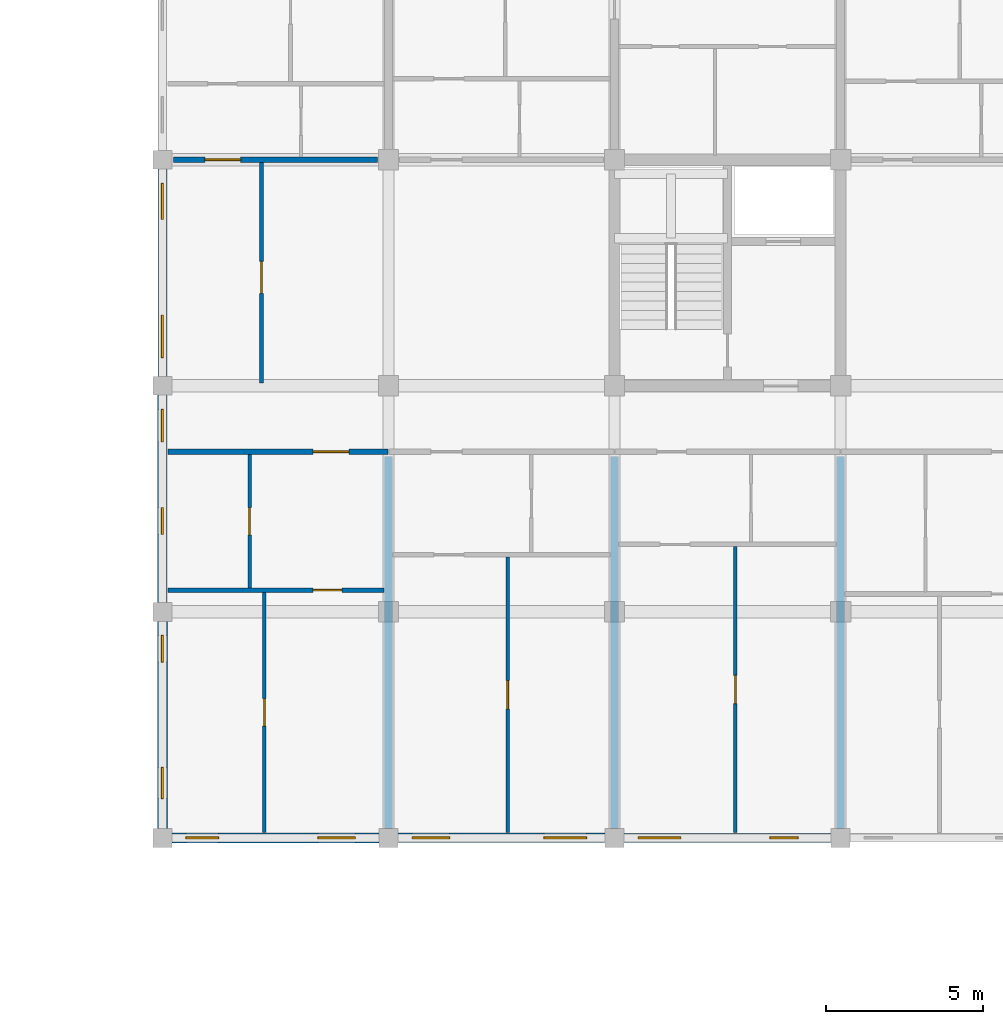
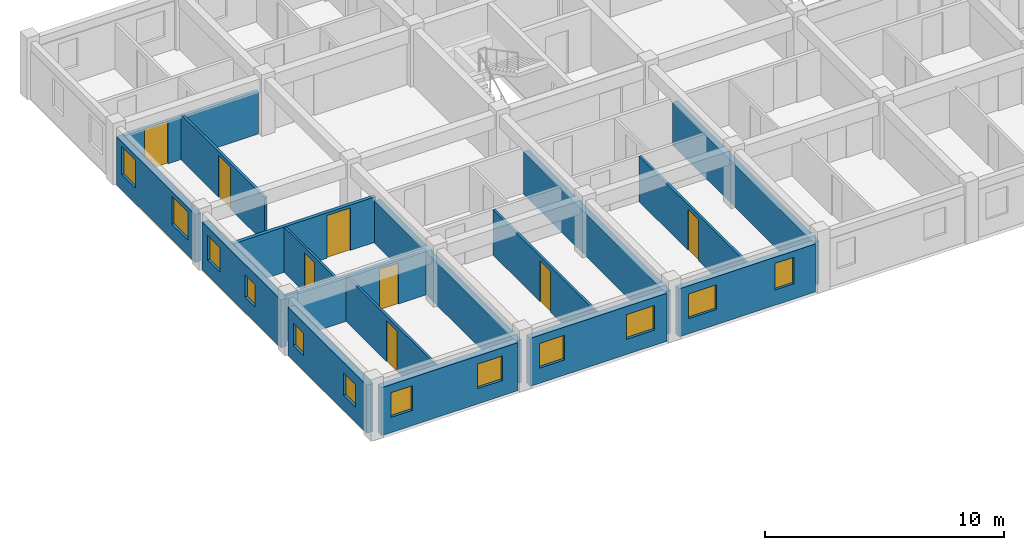
# One storey, part 34 of 50: 17 walls, 12 windows, 8 doors, 20 openings.
"""IFC4 building model written with IfcOpenShell, lengths in metres."""

import ifcopenshell
import ifcopenshell.guid

model = None  # the IFC model being written
_history = None  # IfcOwnerHistory: only IFC2X3 demands one
_inside = {}  # id of a spatial element -> (the spatial element, [elements in it])
_under = {}  # id of a project, library or spatial element -> (it, [spatial elements below it])
_declared = {}  # id of a project -> (the project, [libraries it declares])
_typed = {}  # id of a type object -> (the type object, [elements of that type])
_made_of = {}  # id of a material, layer set ... -> (it, [elements and type objects made of it])


def new_model(schema):
    """Start an empty IFC model of exactly this schema.

    Asked for "IFC4X3", IfcOpenShell would pick the latest addendum, in which some entities
    have other attributes; the version numbers below select the first issue.
    IFC2X3 requires an IfcOwnerHistory on every rooted entity: one is made here for all.
    """
    global model, _history
    if schema == "IFC4X3":
        model = ifcopenshell.file(schema_version=(4, 3, 0, 0))
    else:
        model = ifcopenshell.file(schema=schema)
    _inside.clear()
    _under.clear()
    _declared.clear()
    _typed.clear()
    _made_of.clear()
    _history = None
    if model.schema == "IFC2X3":
        org = make("IfcOrganization", Name="unknown")
        user = make(
            "IfcPersonAndOrganization",
            ThePerson=make("IfcPerson", FamilyName="unknown"),
            TheOrganization=org,
        )
        app = make(
            "IfcApplication",
            ApplicationDeveloper=org,
            Version="unknown",
            ApplicationFullName="unknown",
            ApplicationIdentifier="unknown",
        )
        _history = make(
            "IfcOwnerHistory",
            OwningUser=user,
            OwningApplication=app,
            ChangeAction="ADDED",
            CreationDate=0,
        )
    return model


def make(cls, **values):
    """One entity of the class cls with the attributes given. An attribute that is None is left unset."""
    return model.create_entity(
        cls, **{name: value for name, value in values.items() if value is not None}
    )


def rooted(cls, **values):
    """An entity with a GlobalId (a new one), such as an element, a storey or a relation."""
    return make(cls, GlobalId=ifcopenshell.guid.new(), OwnerHistory=_history, **values)


def si_unit(unit_type, name, prefix=None):
    """IfcSIUnit, for example si_unit("LENGTHUNIT", "METRE", prefix="MILLI")."""
    return make("IfcSIUnit", UnitType=unit_type, Prefix=prefix, Name=name)


def assignment(units):
    """IfcUnitAssignment: the units of a project."""
    return None if units is None else make("IfcUnitAssignment", Units=units)


def point(xyz):
    """IfcCartesianPoint."""
    return None if xyz is None else make("IfcCartesianPoint", Coordinates=xyz)


def direction(xyz):
    """IfcDirection."""
    return None if xyz is None else make("IfcDirection", DirectionRatios=xyz)


def frame(location, z_axis=None, x_axis=None):
    """IfcAxis2Placement3D, a coordinate frame: its origin and axes. An axis left out is left unset."""
    return make(
        "IfcAxis2Placement3D",
        Location=point(location),
        Axis=direction(z_axis),
        RefDirection=direction(x_axis),
    )


def frame_2d(location, x_axis=None):
    """IfcAxis2Placement2D, a coordinate frame in the plane: its origin and x axis."""
    return make(
        "IfcAxis2Placement2D", Location=point(location), RefDirection=direction(x_axis)
    )


def origin():
    """The frame at (0, 0, 0) with its axes left unset."""
    return frame((0.0, 0.0, 0.0))


def place(relative_to, where):
    """IfcLocalPlacement: puts the frame where relative to a parent placement (None: the world)."""
    return make(
        "IfcLocalPlacement", PlacementRelTo=relative_to, RelativePlacement=where
    )


def context(
    kind, dimensions, precision=None, world=None, true_north=None, identifier=None
):
    """IfcGeometricRepresentationContext, for example the 3D "Model" context."""
    return make(
        "IfcGeometricRepresentationContext",
        ContextIdentifier=identifier,
        ContextType=kind,
        CoordinateSpaceDimension=dimensions,
        Precision=precision,
        WorldCoordinateSystem=world,
        TrueNorth=true_north,
    )


def subcontext(parent, identifier, kind, view, scale=None):
    """IfcGeometricRepresentationSubContext, for example "Body" below "Model"."""
    return make(
        "IfcGeometricRepresentationSubContext",
        ContextIdentifier=identifier,
        ContextType=kind,
        ParentContext=parent,
        TargetScale=scale,
        TargetView=view,
    )


def project(units=None, contexts=None):
    """IfcProject with its units and contexts."""
    return rooted(
        "IfcProject",
        Name="project",
        RepresentationContexts=contexts,
        UnitsInContext=assignment(units),
    )


def spatial(cls, under=None, at=None, **own):
    """A site, building, storey or space (cls), placed at a placement, below another one or the project."""
    s = rooted(cls, ObjectPlacement=at, **own)
    if under is not None:
        _under.setdefault(under.id(), (under, []))[1].append(s)
    return s


def profile(cls, at=None, kind="AREA", **sizes):
    """A parametric profile (cls). Its sizes go by their IFC names, for example OverallWidth=200.0."""
    return make(cls, ProfileType=kind, Position=at, **sizes)


def rectangle(**sizes):
    """IfcRectangleProfileDef."""
    return profile("IfcRectangleProfileDef", **sizes)


def extrude(swept, where, along, depth):
    """IfcExtrudedAreaSolid: the profile swept, set in the frame where, extruded along a direction by depth."""
    return make(
        "IfcExtrudedAreaSolid",
        SweptArea=swept,
        Position=where,
        ExtrudedDirection=direction(along),
        Depth=depth,
    )


def shape(context_of_items, identifier, shape_type, items):
    """IfcShapeRepresentation: the items that make up one representation, for example the "Body"."""
    return make(
        "IfcShapeRepresentation",
        ContextOfItems=context_of_items,
        RepresentationIdentifier=identifier,
        RepresentationType=shape_type,
        Items=items,
    )


def material(Name=None, Category=None):
    """IfcMaterial."""
    return make("IfcMaterial", Name=Name, Category=Category)


def layer(
    of_material, thickness, ventilated=None, Name=None, Category=None, Priority=None
):
    """IfcMaterialLayer: one layer of a wall or slab, of a material (None: an air gap)."""
    return make(
        "IfcMaterialLayer",
        Material=of_material,
        LayerThickness=thickness,
        IsVentilated=ventilated,
        Name=Name,
        Category=Category,
        Priority=Priority,
    )


def layer_set(layers, Name=None):
    """IfcMaterialLayerSet."""
    return make("IfcMaterialLayerSet", MaterialLayers=layers, LayerSetName=Name)


def made_of(thing, what):
    """Note that an element or type object is made of a material, layer set ...; save() writes the relation."""
    if what is not None:
        _made_of.setdefault(what.id(), (what, []))[1].append(thing)
    return thing


def type_object(cls, material=None, **own):
    """A type object (cls), such as IfcWallType, which elements share."""
    return made_of(rooted(cls, **own), material)


def element(
    cls,
    number,
    at=None,
    inside=None,
    cuts=None,
    type_object=None,
    material=None,
    context=None,
    identifier="Body",
    shape_type=None,
    held_by="IfcProductDefinitionShape",
    body=None,
    shapes=None,
    **own,
):
    """One element of the class cls, such as IfcWall. Its Tag is "e" and its number.

    at: its placement. inside: the storey or other place that contains it. cuts: it is an
    opening in that element (IfcRelVoidsElement). A single representation is given by context,
    identifier, shape_type and body (its items); several are given by shapes. held_by: the class
    of the entity that holds the representations. save() writes the other relations.
    """
    e = rooted(cls, Tag="e%d" % number, ObjectPlacement=at, **own)
    if body is not None:
        shapes = [shape(context, identifier, shape_type, body)]
    if shapes is not None:
        e.Representation = make(held_by, Representations=shapes)
    if inside is not None:
        _inside.setdefault(inside.id(), (inside, []))[1].append(e)
    if cuts is not None:
        rooted(
            "IfcRelVoidsElement", RelatingBuildingElement=cuts, RelatedOpeningElement=e
        )
    if type_object is not None:
        _typed.setdefault(type_object.id(), (type_object, []))[1].append(e)
    return made_of(e, material)


def fill(opening, filler):
    """IfcRelFillsElement: the door or window that sits in an opening."""
    return rooted(
        "IfcRelFillsElement",
        RelatingOpeningElement=opening,
        RelatedBuildingElement=filler,
    )


def aggregate(whole, parts):
    """IfcRelAggregates: a whole, such as a stair, and the parts it consists of."""
    return rooted("IfcRelAggregates", RelatingObject=whole, RelatedObjects=parts)


def save(model, path):
    """Write the relations noted so far, then the file.

    IfcRelAggregates (storeys below a building ...), IfcRelContainedInSpatialStructure (elements
    in a storey), IfcRelDefinesByType, IfcRelAssociatesMaterial and IfcRelDeclares: one each for
    every whole, place, type object, material and project.
    """
    for whole, parts in _under.values():
        aggregate(whole, parts)
    for where, things in _inside.values():
        rooted(
            "IfcRelContainedInSpatialStructure",
            RelatedElements=things,
            RelatingStructure=where,
        )
    for kind, things in _typed.values():
        rooted("IfcRelDefinesByType", RelatedObjects=things, RelatingType=kind)
    for what, things in _made_of.values():
        rooted("IfcRelAssociatesMaterial", RelatedObjects=things, RelatingMaterial=what)
    for by, libraries in _declared.values():
        rooted("IfcRelDeclares", RelatingContext=by, RelatedDefinitions=libraries)
    model.write(path)


model = new_model("IFC4")

# Units and contexts
model_context = context("Model", 3, precision=1e-05, world=origin(), true_north=direction((0.0, 1.0)))
body_context = subcontext(model_context, "Body", "Model", "MODEL_VIEW")
ifc_project = project(units=[si_unit("LENGTHUNIT", "METRE"), si_unit("AREAUNIT", "SQUARE_METRE"), si_unit("VOLUMEUNIT", "CUBIC_METRE"), si_unit("PLANEANGLEUNIT", "RADIAN"), si_unit("MASSUNIT", "GRAM", prefix="KILO"), si_unit("THERMODYNAMICTEMPERATUREUNIT", "KELVIN"), si_unit("POWERUNIT", "WATT")], contexts=[model_context])

# Site, building, storey
site_placement = place(None, origin())
site = spatial("IfcSite", under=ifc_project, at=site_placement, CompositionType="ELEMENT")
building_placement = place(site_placement, origin())
building = spatial("IfcBuilding", under=site, at=building_placement, Name="Tavuni Mirador Residences", CompositionType="ELEMENT")
storey_placement = place(building_placement, frame((0.0, 0.0, 4.5)))
storey = spatial("IfcBuildingStorey", under=building, at=storey_placement, Name="L01", CompositionType="ELEMENT", Elevation=4.5)

# Wall, opening, door
ifc_material_1 = material(Name="Precast concrete C40/50", Category="concrete")
ifc_layer_1 = layer(ifc_material_1, 0.1650390625, Name="Precast concrete C40/50", Category="concrete")
ifc_layer_set_1 = layer_set([ifc_layer_1], Name="Precast concrete C40/50")
wall_type_1 = type_object("IfcWallType", Name="WT-CORR165", PredefinedType="PARTITIONING", material=ifc_layer_set_1)
wall_1_placement = place(storey_placement, frame((10.97509765625, 156.300048828125, 0.0), z_axis=(0.0, 0.0, 1.0), x_axis=(1.0, 0.0, 0.0)))
wall_1 = element("IfcWall", 1, at=wall_1_placement, inside=storey, type_object=wall_type_1, Name="CORW-BLK-C-L01-0-00", PredefinedType="PARTITIONING", context=body_context, shape_type="SweptSolid", body=[
    extrude(rectangle(XDim=7.0048828125, YDim=0.1650390625, at=frame_2d((3.50244140625, 0.0))), origin(), (0.0, 0.0, 1.0), 2.320068359375),
])
opening_1_placement = place(wall_1_placement, frame((4.625, 0.0, 0.0)))
opening_1 = element("IfcOpeningElement", 2, at=opening_1_placement, cuts=wall_1, Name="Opening D-20", PredefinedType="OPENING", context=body_context, shape_type="SweptSolid", body=[
    extrude(rectangle(XDim=1.139892578125, YDim=2.179931640625, at=frame_2d((0.56982421875, 1.08984375))), frame((0.0, 0.092529296875, 0.0), z_axis=(0.0, -1.0, 0.0), x_axis=(1.0, 0.0, 0.0)), (0.0, 0.0, 1.0), 0.18505859375),
])
ifc_material_2 = material(Name="Solid core iroko timber", Category="wood")
door_type_1 = type_object("IfcDoorType", Name="DT-FD60-1140", OperationType="NOTDEFINED", PredefinedType="DOOR", material=ifc_material_2)
door_1_placement = place(opening_1_placement, origin())
door_1 = element("IfcDoor", 3, at=door_1_placement, inside=storey, type_object=door_type_1, Name="DR-2627", OperationType="SINGLE_SWING_RIGHT", OverallHeight=2.179931640625, OverallWidth=1.139892578125, PredefinedType="DOOR", context=body_context, shape_type="SweptSolid", body=[
    extrude(rectangle(XDim=1.139892578125, YDim=2.179931640625, at=frame_2d((0.56982421875, 1.08984375))), frame((0.0, 0.02490234375, 0.0), z_axis=(0.0, -1.0, 0.0), x_axis=(1.0, 0.0, 0.0)), (0.0, 0.0, 1.0), 0.050048828125),
])
fill(opening_1, door_1)

wall_2_placement = place(storey_placement, frame((11.14990234375, 165.60009765625, 0.0), z_axis=(0.0, 0.0, 1.0), x_axis=(1.0, 0.0, 0.0)))
wall_2 = element("IfcWall", 4, at=wall_2_placement, inside=storey, type_object=wall_type_1, Name="CORW-BLK-C-L01-1-00", PredefinedType="PARTITIONING", context=body_context, shape_type="SweptSolid", body=[
    extrude(rectangle(XDim=6.5, YDim=0.1650390625, at=frame_2d((3.25, 0.0))), origin(), (0.0, 0.0, 1.0), 2.18505859375),
])
opening_2_placement = place(wall_2_placement, frame((1.0, 0.0, 0.0)))
opening_2 = element("IfcOpeningElement", 5, at=opening_2_placement, cuts=wall_2, Name="Opening D-20", PredefinedType="OPENING", context=body_context, shape_type="SweptSolid", body=[
    extrude(rectangle(XDim=1.139892578125, YDim=2.179931640625, at=frame_2d((0.56982421875, 1.08984375))), frame((0.0, 0.092529296875, 0.0), z_axis=(0.0, -1.0, 0.0), x_axis=(1.0, 0.0, 0.0)), (0.0, 0.0, 1.0), 0.18505859375),
])
door_2_placement = place(opening_2_placement, origin())
door_2 = element("IfcDoor", 6, at=door_2_placement, inside=storey, type_object=door_type_1, Name="DR-2636", OperationType="SINGLE_SWING_LEFT", OverallHeight=2.179931640625, OverallWidth=1.139892578125, PredefinedType="DOOR", context=body_context, shape_type="SweptSolid", body=[
    extrude(rectangle(XDim=1.139892578125, YDim=2.179931640625, at=frame_2d((0.56982421875, 1.08984375))), frame((0.0, 0.02490234375, 0.0), z_axis=(0.0, -1.0, 0.0), x_axis=(1.0, 0.0, 0.0)), (0.0, 0.0, 1.0), 0.050048828125),
])
fill(opening_2, door_2)

# Wall, openings, windows
ifc_material_3 = material(Name="Sgraffito lime-rendered precast concrete C40/50", Category="concrete")
ifc_layer_2 = layer(ifc_material_3, 0.2900390625, Name="Sgraffito lime-rendered precast concrete C40/50", Category="concrete")
ifc_layer_set_2 = layer_set([ifc_layer_2], Name="Sgraffito lime-rendered precast concrete C40/50")
wall_type_2 = type_object("IfcWallType", Name="WT-EXT-PC290", PredefinedType="SOLIDWALL", material=ifc_layer_set_2)
wall_3_placement = place(storey_placement, frame((25.5, 144.0, 0.0), z_axis=(0.0, 0.0, 1.0), x_axis=(1.0, 0.0, 0.0)))
wall_3 = element("IfcWall", 7, at=wall_3_placement, inside=storey, type_object=wall_type_2, Name="EW-BLK-C-L01-S02", PredefinedType="SOLIDWALL", context=body_context, shape_type="SweptSolid", body=[
    extrude(rectangle(XDim=6.60009765625, YDim=0.2900390625, at=frame_2d((3.300048828125, 0.0))), origin(), (0.0, 0.0, 1.0), 2.455078125),
])
opening_3_placement = place(wall_3_placement, frame((0.449951171875, 0.0, 0.780029296875)))
opening_3 = element("IfcOpeningElement", 8, at=opening_3_placement, cuts=wall_3, Name="Opening WN-15", PredefinedType="OPENING", context=body_context, shape_type="SweptSolid", body=[
    extrude(rectangle(XDim=1.360107421875, YDim=1.260009765625, at=frame_2d((0.68017578125, 0.6298828125))), frame((0.0, 0.155029296875, 0.0), z_axis=(0.0, -1.0, 0.0), x_axis=(1.0, 0.0, 0.0)), (0.0, 0.0, 1.0), 0.31005859375),
])
opening_4_placement = place(wall_3_placement, frame((4.64990234375, 0.0, 0.780029296875)))
opening_4 = element("IfcOpeningElement", 9, at=opening_4_placement, cuts=wall_3, Name="Opening WN-17", PredefinedType="OPENING", context=body_context, shape_type="SweptSolid", body=[
    extrude(rectangle(XDim=0.89990234375, YDim=1.360107421875, at=frame_2d((0.449951171875, 0.68017578125))), frame((0.0, 0.155029296875, 0.0), z_axis=(0.0, -1.0, 0.0), x_axis=(1.0, 0.0, 0.0)), (0.0, 0.0, 1.0), 0.31005859375),
])
ifc_material_4 = material(Name="Laminated solar-control glass", Category="glass")
window_type_1 = type_object("IfcWindowType", Name="WNT-15", PartitioningType="SINGLE_PANEL", PredefinedType="WINDOW", material=ifc_material_4)
window_1_placement = place(opening_3_placement, origin())
window_1 = element("IfcWindow", 10, at=window_1_placement, inside=storey, type_object=window_type_1, Name="WIN-0853", OverallHeight=1.260009765625, OverallWidth=1.360107421875, PartitioningType="SINGLE_PANEL", PredefinedType="WINDOW", context=body_context, shape_type="SweptSolid", body=[
    extrude(rectangle(XDim=1.360107421875, YDim=1.260009765625, at=frame_2d((0.68017578125, 0.6298828125))), frame((0.0, 0.030029296875, 0.0), z_axis=(0.0, -1.0, 0.0), x_axis=(1.0, 0.0, 0.0)), (0.0, 0.0, 1.0), 0.06005859375),
])
fill(opening_3, window_1)
window_type_2 = type_object("IfcWindowType", Name="WNT-17", PartitioningType="SINGLE_PANEL", PredefinedType="WINDOW", material=ifc_material_4)
window_2_placement = place(opening_4_placement, origin())
window_2 = element("IfcWindow", 11, at=window_2_placement, inside=storey, type_object=window_type_2, Name="WIN-0854", OverallHeight=1.360107421875, OverallWidth=0.89990234375, PartitioningType="SINGLE_PANEL", PredefinedType="WINDOW", context=body_context, shape_type="SweptSolid", body=[
    extrude(rectangle(XDim=0.89990234375, YDim=1.360107421875, at=frame_2d((0.449951171875, 0.68017578125))), frame((0.0, 0.030029296875, 0.0), z_axis=(0.0, -1.0, 0.0), x_axis=(1.0, 0.0, 0.0)), (0.0, 0.0, 1.0), 0.06005859375),
])
fill(opening_4, window_2)

wall_4_placement = place(storey_placement, frame((10.800048828125, 165.300048828125, 0.0), z_axis=(0.0, 0.0, 1.0), x_axis=(0.0, -1.0, 0.0)))
wall_4 = element("IfcWall", 12, at=wall_4_placement, inside=storey, type_object=wall_type_2, Name="EW-BLK-C-L01-W02", PredefinedType="SOLIDWALL", context=body_context, shape_type="SweptSolid", body=[
    extrude(rectangle(XDim=6.60009765625, YDim=0.2900390625, at=frame_2d((3.300048828125, 0.0))), origin(), (0.0, 0.0, 1.0), 2.455078125),
])
opening_5_placement = place(wall_4_placement, frame((0.449951171875, 0.0, 0.780029296875)))
opening_5 = element("IfcOpeningElement", 13, at=opening_5_placement, cuts=wall_4, Name="Opening WN-27", PredefinedType="OPENING", context=body_context, shape_type="SweptSolid", body=[
    extrude(rectangle(XDim=1.14990234375, YDim=1.43994140625, at=frame_2d((0.574951171875, 0.719970703125))), frame((0.0, 0.155029296875, 0.0), z_axis=(0.0, -1.0, 0.0), x_axis=(1.0, 0.0, 0.0)), (0.0, 0.0, 1.0), 0.31005859375),
])
opening_6_placement = place(wall_4_placement, frame((4.64990234375, 0.0, 0.780029296875)))
opening_6 = element("IfcOpeningElement", 14, at=opening_6_placement, cuts=wall_4, Name="Opening WN-29", PredefinedType="OPENING", context=body_context, shape_type="SweptSolid", body=[
    extrude(rectangle(XDim=1.35009765625, YDim=1.43994140625, at=frame_2d((0.675048828125, 0.719970703125))), frame((0.0, 0.155029296875, 0.0), z_axis=(0.0, -1.0, 0.0), x_axis=(1.0, 0.0, 0.0)), (0.0, 0.0, 1.0), 0.31005859375),
])
window_type_3 = type_object("IfcWindowType", Name="WNT-27", PartitioningType="SINGLE_PANEL", PredefinedType="WINDOW", material=ifc_material_4)
window_3_placement = place(opening_5_placement, origin())
window_3 = element("IfcWindow", 15, at=window_3_placement, inside=storey, type_object=window_type_3, Name="WIN-0895", OverallHeight=1.43994140625, OverallWidth=1.14990234375, PartitioningType="SINGLE_PANEL", PredefinedType="WINDOW", context=body_context, shape_type="SweptSolid", body=[
    extrude(rectangle(XDim=1.14990234375, YDim=1.43994140625, at=frame_2d((0.574951171875, 0.719970703125))), frame((0.0, 0.030029296875, 0.0), z_axis=(0.0, -1.0, 0.0), x_axis=(1.0, 0.0, 0.0)), (0.0, 0.0, 1.0), 0.06005859375),
])
fill(opening_5, window_3)
window_type_4 = type_object("IfcWindowType", Name="WNT-29", PartitioningType="SINGLE_PANEL", PredefinedType="WINDOW", material=ifc_material_4)
window_4_placement = place(opening_6_placement, origin())
window_4 = element("IfcWindow", 16, at=window_4_placement, inside=storey, type_object=window_type_4, Name="WIN-0896", OverallHeight=1.43994140625, OverallWidth=1.35009765625, PartitioningType="SINGLE_PANEL", PredefinedType="WINDOW", context=body_context, shape_type="SweptSolid", body=[
    extrude(rectangle(XDim=1.35009765625, YDim=1.43994140625, at=frame_2d((0.675048828125, 0.719970703125))), frame((0.0, 0.030029296875, 0.0), z_axis=(0.0, -1.0, 0.0), x_axis=(1.0, 0.0, 0.0)), (0.0, 0.0, 1.0), 0.06005859375),
])
fill(opening_6, window_4)

ifc_layer_3 = layer(ifc_material_3, 0.304931640625, Name="Sgraffito lime-rendered precast concrete C40/50", Category="concrete")
ifc_layer_set_3 = layer_set([ifc_layer_3], Name="Sgraffito lime-rendered precast concrete C40/50")
wall_type_3 = type_object("IfcWallType", Name="WT-EXT-PC305", PredefinedType="SOLIDWALL", material=ifc_layer_set_3)
wall_5_placement = place(storey_placement, frame((18.300048828125, 144.0, 0.0), z_axis=(0.0, 0.0, 1.0), x_axis=(1.0, 0.0, 0.0)))
wall_5 = element("IfcWall", 17, at=wall_5_placement, inside=storey, type_object=wall_type_3, Name="EW-BLK-C-L01-S01", PredefinedType="SOLIDWALL", context=body_context, shape_type="SweptSolid", body=[
    extrude(rectangle(XDim=6.599853515625, YDim=0.304931640625, at=frame_2d((3.2998046875, 0.0))), origin(), (0.0, 0.0, 1.0), 2.455078125),
])
opening_7_placement = place(wall_5_placement, frame((0.449951171875, 0.0, 0.780029296875)))
opening_7 = element("IfcOpeningElement", 18, at=opening_7_placement, cuts=wall_5, Name="Opening WN-13", PredefinedType="OPENING", context=body_context, shape_type="SweptSolid", body=[
    extrude(rectangle(XDim=1.199951171875, YDim=1.260009765625, at=frame_2d((0.60009765625, 0.6298828125))), frame((0.0, 0.16259765625, 0.0), z_axis=(0.0, -1.0, 0.0), x_axis=(1.0, 0.0, 0.0)), (0.0, 0.0, 1.0), 0.324951171875),
])
opening_8_placement = place(wall_5_placement, frame((4.64990234375, 0.0, 0.780029296875)))
opening_8 = element("IfcOpeningElement", 19, at=opening_8_placement, cuts=wall_5, Name="Opening WN-15", PredefinedType="OPENING", context=body_context, shape_type="SweptSolid", body=[
    extrude(rectangle(XDim=1.360107421875, YDim=1.260009765625, at=frame_2d((0.68017578125, 0.6298828125))), frame((0.0, 0.16259765625, 0.0), z_axis=(0.0, -1.0, 0.0), x_axis=(1.0, 0.0, 0.0)), (0.0, 0.0, 1.0), 0.324951171875),
])
window_type_5 = type_object("IfcWindowType", Name="WNT-13", PartitioningType="SINGLE_PANEL", PredefinedType="WINDOW", material=ifc_material_4)
window_5_placement = place(opening_7_placement, origin())
window_5 = element("IfcWindow", 20, at=window_5_placement, inside=storey, type_object=window_type_5, Name="WIN-0851", OverallHeight=1.260009765625, OverallWidth=1.199951171875, PartitioningType="SINGLE_PANEL", PredefinedType="WINDOW", context=body_context, shape_type="SweptSolid", body=[
    extrude(rectangle(XDim=1.199951171875, YDim=1.260009765625, at=frame_2d((0.60009765625, 0.6298828125))), frame((0.0, 0.030029296875, 0.0), z_axis=(0.0, -1.0, 0.0), x_axis=(1.0, 0.0, 0.0)), (0.0, 0.0, 1.0), 0.06005859375),
])
fill(opening_7, window_5)
window_6_placement = place(opening_8_placement, origin())
window_6 = element("IfcWindow", 21, at=window_6_placement, inside=storey, type_object=window_type_1, Name="WIN-0852", OverallHeight=1.260009765625, OverallWidth=1.360107421875, PartitioningType="SINGLE_PANEL", PredefinedType="WINDOW", context=body_context, shape_type="SweptSolid", body=[
    extrude(rectangle(XDim=1.360107421875, YDim=1.260009765625, at=frame_2d((0.68017578125, 0.6298828125))), frame((0.0, 0.030029296875, 0.0), z_axis=(0.0, -1.0, 0.0), x_axis=(1.0, 0.0, 0.0)), (0.0, 0.0, 1.0), 0.06005859375),
])
fill(opening_8, window_6)

wall_6_placement = place(storey_placement, frame((10.800048828125, 158.10009765625, 0.0), z_axis=(0.0, 0.0, 1.0), x_axis=(0.0, -1.0, 0.0)))
wall_6 = element("IfcWall", 22, at=wall_6_placement, inside=storey, type_object=wall_type_3, Name="EW-BLK-C-L01-W01", PredefinedType="SOLIDWALL", context=body_context, shape_type="SweptSolid", body=[
    extrude(rectangle(XDim=6.60009765625, YDim=0.304931640625, at=frame_2d((3.300048828125, 0.0))), origin(), (0.0, 0.0, 1.0), 2.455078125),
])
opening_9_placement = place(wall_6_placement, frame((0.449951171875, 0.0, 0.780029296875)))
opening_9 = element("IfcOpeningElement", 23, at=opening_9_placement, cuts=wall_6, Name="Opening WN-11", PredefinedType="OPENING", context=body_context, shape_type="SweptSolid", body=[
    extrude(rectangle(XDim=1.0400390625, YDim=1.260009765625, at=frame_2d((0.52001953125, 0.6298828125))), frame((0.0, 0.16259765625, 0.0), z_axis=(0.0, -1.0, 0.0), x_axis=(1.0, 0.0, 0.0)), (0.0, 0.0, 1.0), 0.324951171875),
])
opening_10_placement = place(wall_6_placement, frame((3.580078125, 0.0, 0.780029296875)))
opening_10 = element("IfcOpeningElement", 24, at=opening_10_placement, cuts=wall_6, Name="Opening WN-01", PredefinedType="OPENING", context=body_context, shape_type="SweptSolid", body=[
    extrude(rectangle(XDim=0.85009765625, YDim=1.14990234375, at=frame_2d((0.425048828125, 0.574951171875))), frame((0.0, 0.16259765625, 0.0), z_axis=(0.0, -1.0, 0.0), x_axis=(1.0, 0.0, 0.0)), (0.0, 0.0, 1.0), 0.324951171875),
])
window_type_6 = type_object("IfcWindowType", Name="WNT-01", PartitioningType="SINGLE_PANEL", PredefinedType="WINDOW", material=ifc_material_4)
window_7_placement = place(opening_10_placement, origin())
window_7 = element("IfcWindow", 25, at=window_7_placement, inside=storey, type_object=window_type_6, Name="WIN-0898", OverallHeight=1.14990234375, OverallWidth=0.85009765625, PartitioningType="SINGLE_PANEL", PredefinedType="WINDOW", context=body_context, shape_type="SweptSolid", body=[
    extrude(rectangle(XDim=0.85009765625, YDim=1.14990234375, at=frame_2d((0.425048828125, 0.574951171875))), frame((0.0, 0.030029296875, 0.0), z_axis=(0.0, -1.0, 0.0), x_axis=(1.0, 0.0, 0.0)), (0.0, 0.0, 1.0), 0.06005859375),
])
fill(opening_10, window_7)
window_type_7 = type_object("IfcWindowType", Name="WNT-11", PartitioningType="SINGLE_PANEL", PredefinedType="WINDOW", material=ifc_material_4)
window_8_placement = place(opening_9_placement, origin())
window_8 = element("IfcWindow", 26, at=window_8_placement, inside=storey, type_object=window_type_7, Name="WIN-0897", OverallHeight=1.260009765625, OverallWidth=1.0400390625, PartitioningType="SINGLE_PANEL", PredefinedType="WINDOW", context=body_context, shape_type="SweptSolid", body=[
    extrude(rectangle(XDim=1.0400390625, YDim=1.260009765625, at=frame_2d((0.52001953125, 0.6298828125))), frame((0.0, 0.030029296875, 0.0), z_axis=(0.0, -1.0, 0.0), x_axis=(1.0, 0.0, 0.0)), (0.0, 0.0, 1.0), 0.06005859375),
])
fill(opening_9, window_8)

ifc_layer_4 = layer(ifc_material_3, 0.31494140625, Name="Sgraffito lime-rendered precast concrete C40/50", Category="concrete")
ifc_layer_set_4 = layer_set([ifc_layer_4], Name="Sgraffito lime-rendered precast concrete C40/50")
wall_type_4 = type_object("IfcWallType", Name="WT-EXT-PC315", PredefinedType="SOLIDWALL", material=ifc_layer_set_4)
wall_7_placement = place(storey_placement, frame((11.10009765625, 144.0, 0.0), z_axis=(0.0, 0.0, 1.0), x_axis=(1.0, 0.0, 0.0)))
wall_7 = element("IfcWall", 27, at=wall_7_placement, inside=storey, type_object=wall_type_4, Name="EW-BLK-C-L01-S00", PredefinedType="SOLIDWALL", context=body_context, shape_type="SweptSolid", body=[
    extrude(rectangle(XDim=6.599853515625, YDim=0.31494140625, at=frame_2d((3.2998046875, 0.0))), origin(), (0.0, 0.0, 1.0), 2.455078125),
])
opening_11_placement = place(wall_7_placement, frame((0.449951171875, 0.0, 0.780029296875)))
opening_11 = element("IfcOpeningElement", 28, at=opening_11_placement, cuts=wall_7, Name="Opening WN-11", PredefinedType="OPENING", context=body_context, shape_type="SweptSolid", body=[
    extrude(rectangle(XDim=1.0400390625, YDim=1.260009765625, at=frame_2d((0.52001953125, 0.6298828125))), frame((0.0, 0.16748046875, 0.0), z_axis=(0.0, -1.0, 0.0), x_axis=(1.0, 0.0, 0.0)), (0.0, 0.0, 1.0), 0.3349609375),
])
opening_12_placement = place(wall_7_placement, frame((4.64990234375, 0.0, 0.780029296875)))
opening_12 = element("IfcOpeningElement", 29, at=opening_12_placement, cuts=wall_7, Name="Opening WN-13", PredefinedType="OPENING", context=body_context, shape_type="SweptSolid", body=[
    extrude(rectangle(XDim=1.199951171875, YDim=1.260009765625, at=frame_2d((0.60009765625, 0.6298828125))), frame((0.0, 0.16748046875, 0.0), z_axis=(0.0, -1.0, 0.0), x_axis=(1.0, 0.0, 0.0)), (0.0, 0.0, 1.0), 0.3349609375),
])
window_9_placement = place(opening_11_placement, origin())
window_9 = element("IfcWindow", 30, at=window_9_placement, inside=storey, type_object=window_type_7, Name="WIN-0849", OverallHeight=1.260009765625, OverallWidth=1.0400390625, PartitioningType="SINGLE_PANEL", PredefinedType="WINDOW", context=body_context, shape_type="SweptSolid", body=[
    extrude(rectangle(XDim=1.0400390625, YDim=1.260009765625, at=frame_2d((0.52001953125, 0.6298828125))), frame((0.0, 0.030029296875, 0.0), z_axis=(0.0, -1.0, 0.0), x_axis=(1.0, 0.0, 0.0)), (0.0, 0.0, 1.0), 0.06005859375),
])
fill(opening_11, window_9)
window_10_placement = place(opening_12_placement, origin())
window_10 = element("IfcWindow", 31, at=window_10_placement, inside=storey, type_object=window_type_5, Name="WIN-0850", OverallHeight=1.260009765625, OverallWidth=1.199951171875, PartitioningType="SINGLE_PANEL", PredefinedType="WINDOW", context=body_context, shape_type="SweptSolid", body=[
    extrude(rectangle(XDim=1.199951171875, YDim=1.260009765625, at=frame_2d((0.60009765625, 0.6298828125))), frame((0.0, 0.030029296875, 0.0), z_axis=(0.0, -1.0, 0.0), x_axis=(1.0, 0.0, 0.0)), (0.0, 0.0, 1.0), 0.06005859375),
])
fill(opening_12, window_10)

wall_8_placement = place(storey_placement, frame((10.800048828125, 150.89990234375, 0.0), z_axis=(0.0, 0.0, 1.0), x_axis=(0.0, -1.0, 0.0)))
wall_8 = element("IfcWall", 32, at=wall_8_placement, inside=storey, type_object=wall_type_4, Name="EW-BLK-C-L01-W00", PredefinedType="SOLIDWALL", context=body_context, shape_type="SweptSolid", body=[
    extrude(rectangle(XDim=6.599853515625, YDim=0.31494140625, at=frame_2d((3.2998046875, 0.0))), origin(), (0.0, 0.0, 1.0), 2.455078125),
])
opening_13_placement = place(wall_8_placement, frame((0.449951171875, 0.0, 0.780029296875)))
opening_13 = element("IfcOpeningElement", 33, at=opening_13_placement, cuts=wall_8, Name="Opening WN-01", PredefinedType="OPENING", context=body_context, shape_type="SweptSolid", body=[
    extrude(rectangle(XDim=0.85009765625, YDim=1.14990234375, at=frame_2d((0.425048828125, 0.574951171875))), frame((0.0, 0.16748046875, 0.0), z_axis=(0.0, -1.0, 0.0), x_axis=(1.0, 0.0, 0.0)), (0.0, 0.0, 1.0), 0.3349609375),
])
opening_14_placement = place(wall_8_placement, frame((4.64990234375, 0.0, 0.780029296875)))
opening_14 = element("IfcOpeningElement", 34, at=opening_14_placement, cuts=wall_8, Name="Opening WN-03", PredefinedType="OPENING", context=body_context, shape_type="SweptSolid", body=[
    extrude(rectangle(XDim=1.0, YDim=1.14990234375, at=frame_2d((0.5, 0.574951171875))), frame((0.0, 0.16748046875, 0.0), z_axis=(0.0, -1.0, 0.0), x_axis=(1.0, 0.0, 0.0)), (0.0, 0.0, 1.0), 0.3349609375),
])
window_11_placement = place(opening_13_placement, origin())
window_11 = element("IfcWindow", 35, at=window_11_placement, inside=storey, type_object=window_type_6, Name="WIN-0899", OverallHeight=1.14990234375, OverallWidth=0.85009765625, PartitioningType="SINGLE_PANEL", PredefinedType="WINDOW", context=body_context, shape_type="SweptSolid", body=[
    extrude(rectangle(XDim=0.85009765625, YDim=1.14990234375, at=frame_2d((0.425048828125, 0.574951171875))), frame((0.0, 0.030029296875, 0.0), z_axis=(0.0, -1.0, 0.0), x_axis=(1.0, 0.0, 0.0)), (0.0, 0.0, 1.0), 0.06005859375),
])
fill(opening_13, window_11)
window_type_8 = type_object("IfcWindowType", Name="WNT-03", PartitioningType="SINGLE_PANEL", PredefinedType="WINDOW", material=ifc_material_4)
window_12_placement = place(opening_14_placement, origin())
window_12 = element("IfcWindow", 36, at=window_12_placement, inside=storey, type_object=window_type_8, Name="WIN-0900", OverallHeight=1.14990234375, OverallWidth=1.0, PartitioningType="SINGLE_PANEL", PredefinedType="WINDOW", context=body_context, shape_type="SweptSolid", body=[
    extrude(rectangle(XDim=1.0, YDim=1.14990234375, at=frame_2d((0.5, 0.574951171875))), frame((0.0, 0.030029296875, 0.0), z_axis=(0.0, -1.0, 0.0), x_axis=(1.0, 0.0, 0.0)), (0.0, 0.0, 1.0), 0.06005859375),
])
fill(opening_14, window_12)

# Wall, opening, door
ifc_material_5 = material(Name="Acoustic gypsum and concrete block partition", Category="concrete")
ifc_layer_5 = layer(ifc_material_5, 0.10498046875, Name="Acoustic gypsum and concrete block partition", Category="concrete")
ifc_layer_set_5 = layer_set([ifc_layer_5], Name="Acoustic gypsum and concrete block partition")
wall_type_5 = type_object("IfcWallType", Name="WT-PART105", PredefinedType="PARTITIONING", material=ifc_layer_set_5)
wall_9_placement = place(storey_placement, frame((13.580078125, 151.9599609375, 0.0), z_axis=(0.0, 0.0, 1.0), x_axis=(0.0, 1.0, 0.0)))
wall_9 = element("IfcWall", 37, at=wall_9_placement, inside=storey, type_object=wall_type_5, Name="PW-BLK-C-L01-S00-IN1", PredefinedType="PARTITIONING", context=body_context, shape_type="SweptSolid", body=[
    extrude(rectangle(XDim=4.25, YDim=0.10498046875, at=frame_2d((2.125, 0.0))), origin(), (0.0, 0.0, 1.0), 2.320068359375),
])
opening_15_placement = place(wall_9_placement, frame((1.68994140625, 0.0, 0.0)))
opening_15 = element("IfcOpeningElement", 38, at=opening_15_placement, cuts=wall_9, Name="Opening D-10", PredefinedType="OPENING", context=body_context, shape_type="SweptSolid", body=[
    extrude(rectangle(XDim=0.8701171875, YDim=2.050048828125, at=frame_2d((0.43505859375, 1.02490234375))), frame((0.0, 0.0625, 0.0), z_axis=(0.0, -1.0, 0.0), x_axis=(1.0, 0.0, 0.0)), (0.0, 0.0, 1.0), 0.125),
])
door_type_2 = type_object("IfcDoorType", Name="DT-WC870", OperationType="NOTDEFINED", PredefinedType="DOOR", material=ifc_material_2)
door_3_placement = place(opening_15_placement, origin())
door_3 = element("IfcDoor", 39, at=door_3_placement, inside=storey, type_object=door_type_2, Name="DR-3686", OperationType="SINGLE_SWING_RIGHT", OverallHeight=2.050048828125, OverallWidth=0.8701171875, PredefinedType="DOOR", context=body_context, shape_type="SweptSolid", body=[
    extrude(rectangle(XDim=0.8701171875, YDim=2.050048828125, at=frame_2d((0.43505859375, 1.02490234375))), frame((0.0, 0.02490234375, 0.0), z_axis=(0.0, -1.0, 0.0), x_axis=(1.0, 0.0, 0.0)), (0.0, 0.0, 1.0), 0.050048828125),
])
fill(opening_15, door_3)

ifc_layer_6 = layer(ifc_material_5, 0.114990234375, Name="Acoustic gypsum and concrete block partition", Category="concrete")
ifc_layer_set_6 = layer_set([ifc_layer_6], Name="Acoustic gypsum and concrete block partition")
wall_type_6 = type_object("IfcWallType", Name="WT-PART115", PredefinedType="PARTITIONING", material=ifc_layer_set_6)
wall_10_placement = place(storey_placement, frame((14.050048828125, 144.175048828125, 0.0), z_axis=(0.0, 0.0, 1.0), x_axis=(0.0, 1.0, 0.0)))
wall_10 = element("IfcWall", 40, at=wall_10_placement, inside=storey, type_object=wall_type_6, Name="PW-BLK-C-L01-S00-OUT", PredefinedType="PARTITIONING", context=body_context, shape_type="SweptSolid", body=[
    extrude(rectangle(XDim=7.64501953125, YDim=0.114990234375, at=frame_2d((3.822509765625, 0.0))), origin(), (0.0, 0.0, 1.0), 2.320068359375),
])
opening_16_placement = place(wall_10_placement, frame((3.382568359375, 0.0, 0.0)))
opening_16 = element("IfcOpeningElement", 41, at=opening_16_placement, cuts=wall_10, Name="Opening D-08", PredefinedType="OPENING", context=body_context, shape_type="SweptSolid", body=[
    extrude(rectangle(XDim=0.8798828125, YDim=2.080078125, at=frame_2d((0.43994140625, 1.0400390625))), frame((0.0, 0.0673828125, 0.0), z_axis=(0.0, -1.0, 0.0), x_axis=(1.0, 0.0, 0.0)), (0.0, 0.0, 1.0), 0.135009765625),
])
door_type_3 = type_object("IfcDoorType", Name="DT-BED880", OperationType="NOTDEFINED", PredefinedType="DOOR", material=ifc_material_2)
door_4_placement = place(opening_16_placement, origin())
door_4 = element("IfcDoor", 42, at=door_4_placement, inside=storey, type_object=door_type_3, Name="DR-3685", OperationType="SINGLE_SWING_LEFT", OverallHeight=2.080078125, OverallWidth=0.8798828125, PredefinedType="DOOR", context=body_context, shape_type="SweptSolid", body=[
    extrude(rectangle(XDim=0.8798828125, YDim=2.080078125, at=frame_2d((0.43994140625, 1.0400390625))), frame((0.0, 0.02490234375, 0.0), z_axis=(0.0, -1.0, 0.0), x_axis=(1.0, 0.0, 0.0)), (0.0, 0.0, 1.0), 0.050048828125),
])
fill(opening_16, door_4)

wall_11_placement = place(storey_placement, frame((21.800048828125, 144.175048828125, 0.0), z_axis=(0.0, 0.0, 1.0), x_axis=(0.0, 1.0, 0.0)))
wall_11 = element("IfcWall", 43, at=wall_11_placement, inside=storey, type_object=wall_type_6, Name="PW-BLK-C-L01-S01-OUT", PredefinedType="PARTITIONING", context=body_context, shape_type="SweptSolid", body=[
    extrude(rectangle(XDim=8.77490234375, YDim=0.114990234375, at=frame_2d((4.387451171875, 0.0))), origin(), (0.0, 0.0, 1.0), 2.320068359375),
])
opening_17_placement = place(wall_11_placement, frame((3.9375, 0.0, 0.0)))
opening_17 = element("IfcOpeningElement", 44, at=opening_17_placement, cuts=wall_11, Name="Opening D-07", PredefinedType="OPENING", context=body_context, shape_type="SweptSolid", body=[
    extrude(rectangle(XDim=0.89990234375, YDim=2.10009765625, at=frame_2d((0.449951171875, 1.050048828125))), frame((0.0, 0.0673828125, 0.0), z_axis=(0.0, -1.0, 0.0), x_axis=(1.0, 0.0, 0.0)), (0.0, 0.0, 1.0), 0.135009765625),
])
door_type_4 = type_object("IfcDoorType", Name="DT-BED900", OperationType="NOTDEFINED", PredefinedType="DOOR", material=ifc_material_2)
door_5_placement = place(opening_17_placement, origin())
door_5 = element("IfcDoor", 45, at=door_5_placement, inside=storey, type_object=door_type_4, Name="DR-3691", OperationType="SINGLE_SWING_RIGHT", OverallHeight=2.10009765625, OverallWidth=0.89990234375, PredefinedType="DOOR", context=body_context, shape_type="SweptSolid", body=[
    extrude(rectangle(XDim=0.89990234375, YDim=2.10009765625, at=frame_2d((0.449951171875, 1.050048828125))), frame((0.0, 0.02490234375, 0.0), z_axis=(0.0, -1.0, 0.0), x_axis=(1.0, 0.0, 0.0)), (0.0, 0.0, 1.0), 0.050048828125),
])
fill(opening_17, door_5)

wall_12_placement = place(storey_placement, frame((29.050048828125, 144.175048828125, 0.0), z_axis=(0.0, 0.0, 1.0), x_axis=(0.0, 1.0, 0.0)))
wall_12 = element("IfcWall", 46, at=wall_12_placement, inside=storey, type_object=wall_type_6, Name="PW-BLK-C-L01-S02-OUT", PredefinedType="PARTITIONING", context=body_context, shape_type="SweptSolid", body=[
    extrude(rectangle(XDim=9.10498046875, YDim=0.114990234375, at=frame_2d((4.552490234375, 0.0))), origin(), (0.0, 0.0, 1.0), 2.320068359375),
])
opening_18_placement = place(wall_12_placement, frame((4.1025390625, 0.0, 0.0)))
opening_18 = element("IfcOpeningElement", 47, at=opening_18_placement, cuts=wall_12, Name="Opening D-07", PredefinedType="OPENING", context=body_context, shape_type="SweptSolid", body=[
    extrude(rectangle(XDim=0.89990234375, YDim=2.10009765625, at=frame_2d((0.449951171875, 1.050048828125))), frame((0.0, 0.0673828125, 0.0), z_axis=(0.0, -1.0, 0.0), x_axis=(1.0, 0.0, 0.0)), (0.0, 0.0, 1.0), 0.135009765625),
])
door_6_placement = place(opening_18_placement, origin())
door_6 = element("IfcDoor", 48, at=door_6_placement, inside=storey, type_object=door_type_4, Name="DR-3697", OperationType="SINGLE_SWING_RIGHT", OverallHeight=2.10009765625, OverallWidth=0.89990234375, PredefinedType="DOOR", context=body_context, shape_type="SweptSolid", body=[
    extrude(rectangle(XDim=0.89990234375, YDim=2.10009765625, at=frame_2d((0.449951171875, 1.050048828125))), frame((0.0, 0.02490234375, 0.0), z_axis=(0.0, -1.0, 0.0), x_axis=(1.0, 0.0, 0.0)), (0.0, 0.0, 1.0), 0.050048828125),
])
fill(opening_18, door_6)

ifc_layer_7 = layer(ifc_material_5, 0.125, Name="Acoustic gypsum and concrete block partition", Category="concrete")
ifc_layer_set_7 = layer_set([ifc_layer_7], Name="Acoustic gypsum and concrete block partition")
wall_type_7 = type_object("IfcWallType", Name="WT-PART125", PredefinedType="PARTITIONING", material=ifc_layer_set_7)
wall_13_placement = place(storey_placement, frame((13.9599609375, 158.489990234375, 0.0), z_axis=(0.0, 0.0, 1.0), x_axis=(0.0, 1.0, 0.0)))
wall_13 = element("IfcWall", 49, at=wall_13_placement, inside=storey, type_object=wall_type_7, Name="PW-SPN-BLK-C-L01-00", PredefinedType="PARTITIONING", context=body_context, shape_type="SweptSolid", body=[
    extrude(rectangle(XDim=7.02001953125, YDim=0.125, at=frame_2d((3.510009765625, 0.0))), origin(), (0.0, 0.0, 1.0), 2.320068359375),
])
opening_19_placement = place(wall_13_placement, frame((2.85009765625, 0.0, 0.0)))
opening_19 = element("IfcOpeningElement", 50, at=opening_19_placement, cuts=wall_13, Name="Opening D-13", PredefinedType="OPENING", context=body_context, shape_type="SweptSolid", body=[
    extrude(rectangle(XDim=1.02001953125, YDim=2.14990234375, at=frame_2d((0.510009765625, 1.074951171875))), frame((0.0, 0.072509765625, 0.0), z_axis=(0.0, -1.0, 0.0), x_axis=(1.0, 0.0, 0.0)), (0.0, 0.0, 1.0), 0.14501953125),
])
door_type_5 = type_object("IfcDoorType", Name="DT-MTG1020", OperationType="NOTDEFINED", PredefinedType="DOOR", material=ifc_material_2)
door_7_placement = place(opening_19_placement, origin())
door_7 = element("IfcDoor", 51, at=door_7_placement, inside=storey, type_object=door_type_5, Name="DR-3684", OperationType="SINGLE_SWING_RIGHT", OverallHeight=2.14990234375, OverallWidth=1.02001953125, PredefinedType="DOOR", context=body_context, shape_type="SweptSolid", body=[
    extrude(rectangle(XDim=1.02001953125, YDim=2.14990234375, at=frame_2d((0.510009765625, 1.074951171875))), frame((0.0, 0.02490234375, 0.0), z_axis=(0.0, -1.0, 0.0), x_axis=(1.0, 0.0, 0.0)), (0.0, 0.0, 1.0), 0.050048828125),
])
fill(opening_19, door_7)

ifc_layer_8 = layer(ifc_material_5, 0.139892578125, Name="Acoustic gypsum and concrete block partition", Category="concrete")
ifc_layer_set_8 = layer_set([ifc_layer_8], Name="Acoustic gypsum and concrete block partition")
wall_type_8 = type_object("IfcWallType", Name="WT-PART140", PredefinedType="PARTITIONING", material=ifc_layer_set_8)
wall_14_placement = place(storey_placement, frame((10.97509765625, 151.889892578125, 0.0), z_axis=(0.0, 0.0, 1.0), x_axis=(1.0, 0.0, 0.0)))
wall_14 = element("IfcWall", 52, at=wall_14_placement, inside=storey, type_object=wall_type_8, Name="PW-BLK-C-L01-S00-MID", PredefinedType="PARTITIONING", context=body_context, shape_type="SweptSolid", body=[
    extrude(rectangle(XDim=6.885009765625, YDim=0.139892578125, at=frame_2d((3.4423828125, 0.0))), origin(), (0.0, 0.0, 1.0), 2.320068359375),
])
opening_20_placement = place(wall_14_placement, frame((4.625, 0.0, 0.0)))
opening_20 = element("IfcOpeningElement", 53, at=opening_20_placement, cuts=wall_14, Name="Opening D-06", PredefinedType="OPENING", context=body_context, shape_type="SweptSolid", body=[
    extrude(rectangle(XDim=0.919921875, YDim=2.10009765625, at=frame_2d((0.4599609375, 1.050048828125))), frame((0.0, 0.080078125, 0.0), z_axis=(0.0, -1.0, 0.0), x_axis=(1.0, 0.0, 0.0)), (0.0, 0.0, 1.0), 0.159912109375),
])
door_type_6 = type_object("IfcDoorType", Name="DT-INT920", OperationType="NOTDEFINED", PredefinedType="DOOR", material=ifc_material_2)
door_8_placement = place(opening_20_placement, origin())
door_8 = element("IfcDoor", 54, at=door_8_placement, inside=storey, type_object=door_type_6, Name="DR-3687", OperationType="SINGLE_SWING_RIGHT", OverallHeight=2.10009765625, OverallWidth=0.919921875, PredefinedType="DOOR", context=body_context, shape_type="SweptSolid", body=[
    extrude(rectangle(XDim=0.919921875, YDim=2.10009765625, at=frame_2d((0.4599609375, 1.050048828125))), frame((0.0, 0.02490234375, 0.0), z_axis=(0.0, -1.0, 0.0), x_axis=(1.0, 0.0, 0.0)), (0.0, 0.0, 1.0), 0.050048828125),
])
fill(opening_20, door_8)

# Walls
ifc_layer_9 = layer(ifc_material_1, 0.264892578125, Name="Precast concrete C40/50", Category="concrete")
ifc_layer_set_9 = layer_set([ifc_layer_9], Name="Precast concrete C40/50")
wall_type_9 = type_object("IfcWallType", Name="WT-XW265", PredefinedType="SOLIDWALL", material=ifc_layer_set_9)
for number, where, z_axis, x_axis, name in (
    (55, (18.0, 144.300048828125, 0.0), (0.0, 0.0, 1.0), (0.0, 1.0, 0.0), "XW-BLK-C-L01-S-01"),
    (56, (25.199951171875, 144.300048828125, 0.0), (0.0, 0.0, 1.0), (0.0, 1.0, 0.0), "XW-BLK-C-L01-S-02"),
    (57, (32.39990234375, 144.300048828125, 0.0), (0.0, 0.0, 1.0), (0.0, 1.0, 0.0), "XW-BLK-C-L01-S-03"),
):
    element("IfcWall", number, at=place(storey_placement, frame(where, z_axis=z_axis, x_axis=x_axis)), inside=storey, type_object=wall_type_9, Name=name, PredefinedType="SOLIDWALL", context=body_context, shape_type="SweptSolid", body=[
        extrude(rectangle(XDim=11.849853515625, YDim=0.264892578125, at=frame_2d((5.9248046875, 0.0))), origin(), (0.0, 0.0, 1.0), 2.18505859375),
    ])

save(model, "model.ifc")
